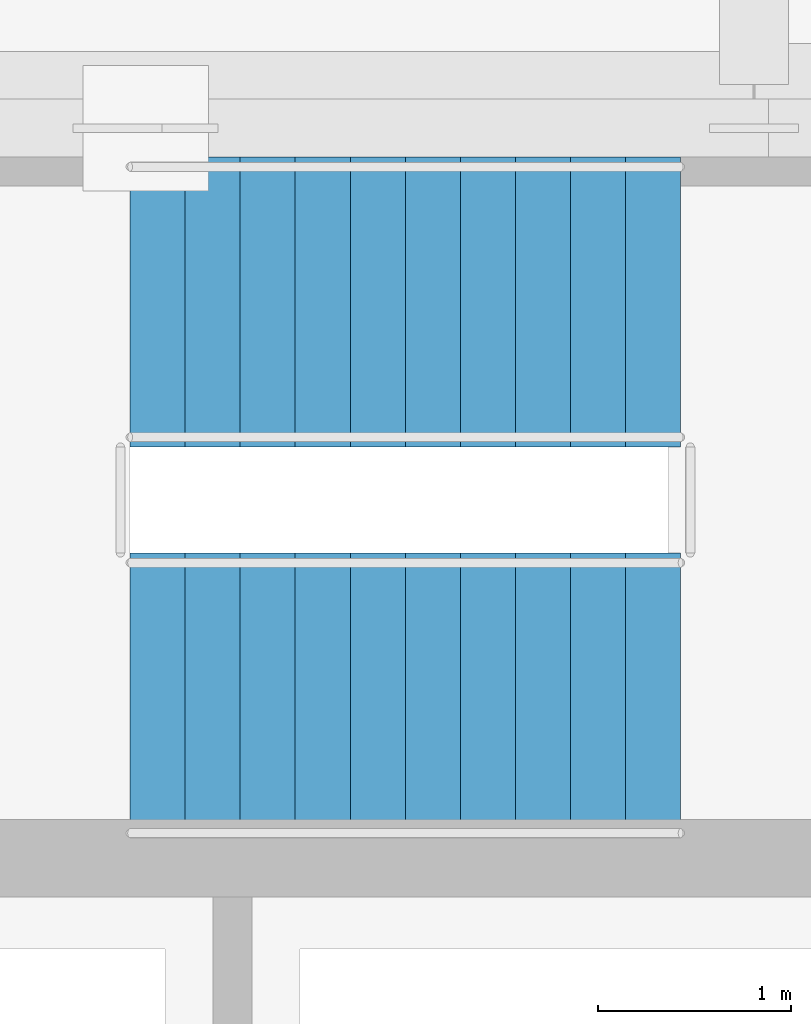
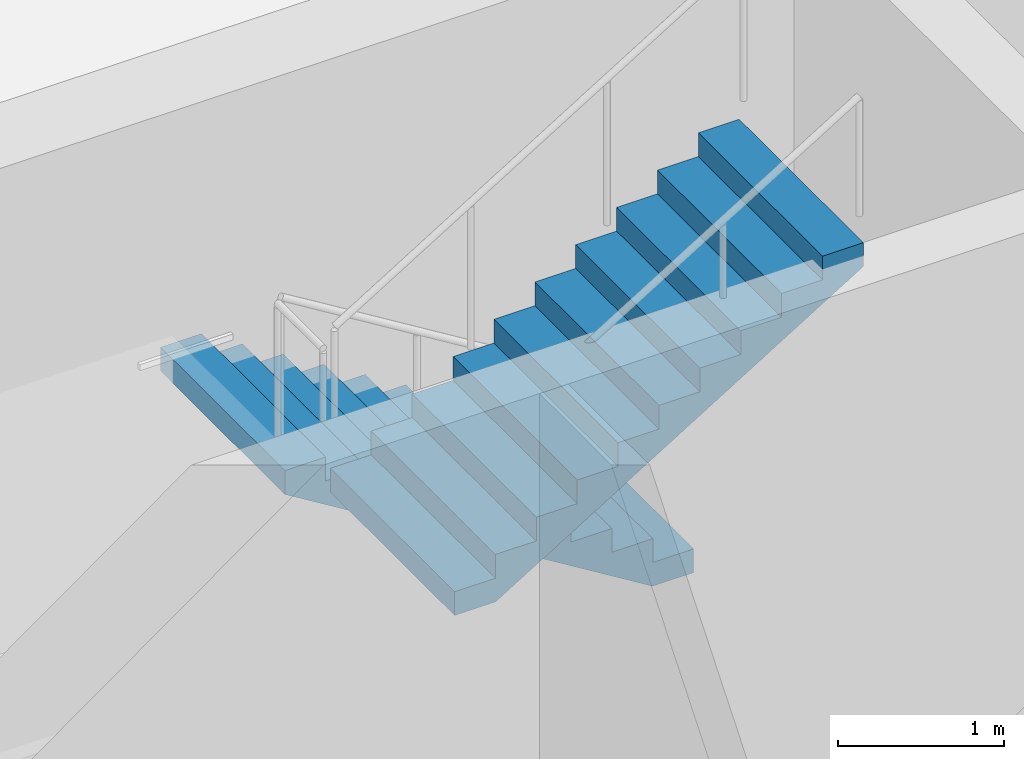
# One storey, part 23 of 24: 2 stair flights, 1 element without a shape of its own.
"""IFC4 building model written with IfcOpenShell, lengths in metres."""

from ifc_helpers import new_model, si_unit, direction, frame, origin, place, context, subcontext, project, spatial, polyline, outline, extrude, material, type_object, element, aggregate, save


model = new_model("IFC4")

# Units and contexts
model_context = context("Model", 3, precision=1e-05, world=origin(), true_north=direction((0.0, 1.0)))
body_context = subcontext(model_context, "Body", "Model", "MODEL_VIEW")
ifc_project = project(units=[si_unit("LENGTHUNIT", "METRE"), si_unit("AREAUNIT", "SQUARE_METRE"), si_unit("VOLUMEUNIT", "CUBIC_METRE"), si_unit("PLANEANGLEUNIT", "RADIAN"), si_unit("MASSUNIT", "GRAM", prefix="KILO")], contexts=[model_context])

# Site, building, storey
site_placement = place(None, origin())
site = spatial("IfcSite", under=ifc_project, at=site_placement, CompositionType="ELEMENT")
building_placement = place(site_placement, origin())
building = spatial("IfcBuilding", under=site, at=building_placement, Name="Cobrela Telecom Tower", CompositionType="ELEMENT")
storey_placement = place(building_placement, frame((0.0, 0.0, 121.449951171875)))
storey = spatial("IfcBuildingStorey", under=building, at=storey_placement, Name="L30", CompositionType="ELEMENT", Elevation=121.449951171875)

# Stair, stair flights
ifc_material = material(Name="Concrete C40/50", Category="concrete")
stair_type = type_object("IfcStairType", Name="STAIR-CORE", PredefinedType="HALF_TURN_STAIR", material=ifc_material)
stair_placement = place(storey_placement, origin())
stair = element("IfcStair", 1, at=stair_placement, inside=storey, type_object=stair_type, Name="L30 Smokeproof Exit Stair ST1", PredefinedType="HALF_TURN_STAIR")
stair_flight_type = type_object("IfcStairFlightType", Name="FLIGHT-CORE", PredefinedType="STRAIGHT", material=ifc_material)
stair_flight_1_placement = place(storey_placement, frame((6.820068359375, 34.800048828125, 0.0), z_axis=(0.0, 0.0, 1.0), x_axis=(-1.0, 0.0, 0.0)))
stair_flight_1 = element("IfcStairFlight", 2, at=stair_flight_1_placement, type_object=stair_flight_type, Name="ST1 flight 1", NumberOfRisers=11, NumberOfTreads=10, PredefinedType="STRAIGHT", RiserHeight=0.175, TreadLength=0.285, context=body_context, shape_type="SweptSolid", body=[
    extrude(outline(polyline([(0.0, 0.0), (0.0, 0.175048828125), (0.284912109375, 0.175048828125), (0.284912109375, 0.35009765625), (0.570068359375, 0.35009765625), (0.570068359375, 0.52490234375), (0.85498046875, 0.52490234375), (0.85498046875, 0.699951171875), (1.139892578125, 0.699951171875), (1.139892578125, 0.875), (1.425048828125, 0.875), (1.425048828125, 1.050048828125), (1.7099609375, 1.050048828125), (1.7099609375, 1.22509765625), (1.9951171875, 1.22509765625), (1.9951171875, 1.39990234375), (2.280029296875, 1.39990234375), (2.280029296875, 1.574951171875), (2.56494140625, 1.574951171875), (2.56494140625, 1.75), (2.85009765625, 1.75), (2.85009765625, 1.925048828125), (2.85009765625, 1.573974609375), (0.286376953125, 0.0), (0.0, 0.0)])), frame((0.0, 0.75, 0.0), z_axis=(0.0, -1.0, 0.0), x_axis=(1.0, 0.0, 0.0)), (0.0, 0.0, 1.0), 1.5),
])
stair_flight_2_placement = place(storey_placement, frame((3.969970703125, 32.75, 1.925048828125), z_axis=(0.0, 0.0, 1.0), x_axis=(1.0, 0.0, 0.0)))
stair_flight_2 = element("IfcStairFlight", 3, at=stair_flight_2_placement, type_object=stair_flight_type, Name="ST1 flight 2", NumberOfRisers=11, NumberOfTreads=10, PredefinedType="STRAIGHT", RiserHeight=0.175, TreadLength=0.285, context=body_context, shape_type="SweptSolid", body=[
    extrude(outline(polyline([(0.0, 0.0), (0.0, 0.175048828125), (0.284912109375, 0.175048828125), (0.284912109375, 0.35009765625), (0.570068359375, 0.35009765625), (0.570068359375, 0.52490234375), (0.85498046875, 0.52490234375), (0.85498046875, 0.699951171875), (1.139892578125, 0.699951171875), (1.139892578125, 0.875), (1.425048828125, 0.875), (1.425048828125, 1.050048828125), (1.7099609375, 1.050048828125), (1.7099609375, 1.22509765625), (1.9951171875, 1.22509765625), (1.9951171875, 1.39990234375), (2.280029296875, 1.39990234375), (2.280029296875, 1.574951171875), (2.56494140625, 1.574951171875), (2.56494140625, 1.75), (2.85009765625, 1.75), (2.85009765625, 1.925048828125), (2.85009765625, 1.573974609375), (0.286376953125, 0.0), (0.0, 0.0)])), frame((0.0, 0.75, 0.0), z_axis=(0.0, -1.0, 0.0), x_axis=(1.0, 0.0, 0.0)), (0.0, 0.0, 1.0), 1.5),
])
aggregate(stair, [stair_flight_1, stair_flight_2])

save(model, "model.ifc")
